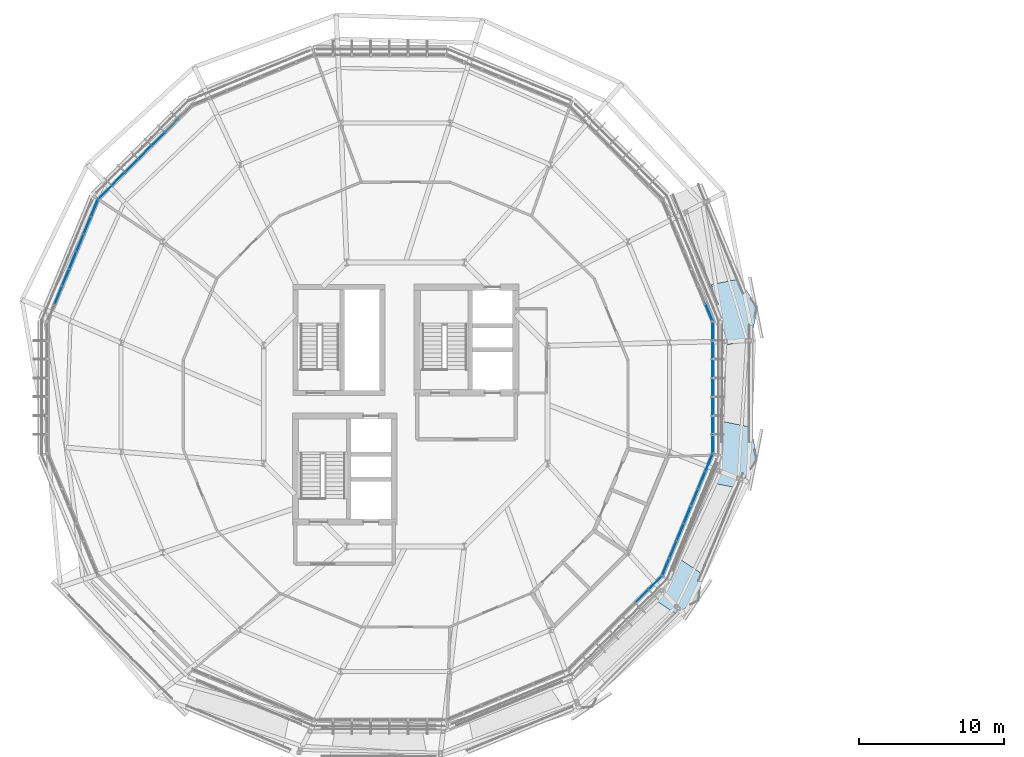
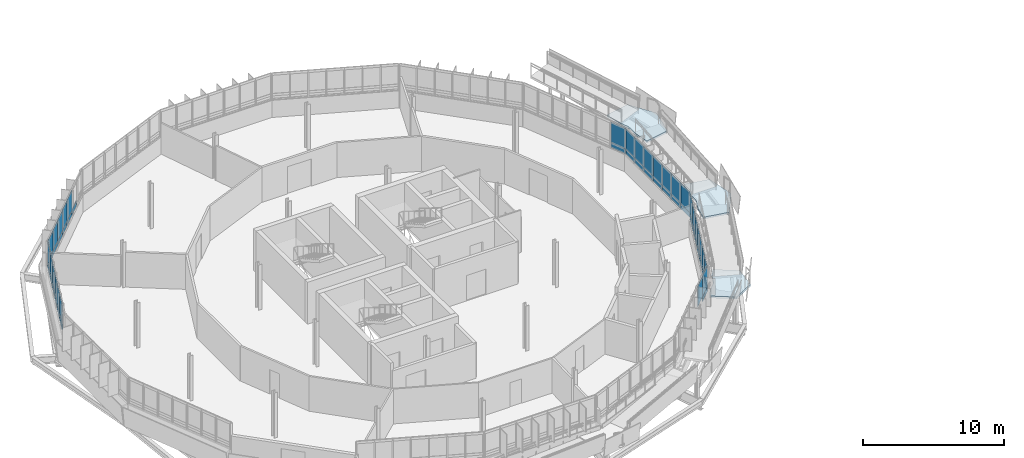
# One storey, part 26 of 38: 56 plates, 3 slabs, 7 elements without a shape of their own.
"""IFC4 building model written with IfcOpenShell, lengths in metres."""

from ifc_helpers import new_model, si_unit, derived_unit, direction, frame, origin, origin_2d, place, context, subcontext, project, spatial, polyline, rectangle, outline, extrude, material, layer, layer_set, type_object, element, aggregate, save


model = new_model("IFC4")

# Units and contexts
model_context = context("Model", 3, precision=1e-05, world=origin(), true_north=direction((0.0, 1.0)))
body_context = subcontext(model_context, "Body", "Model", "MODEL_VIEW")
ifc_project = project(units=[si_unit("LENGTHUNIT", "METRE"), si_unit("AREAUNIT", "SQUARE_METRE"), si_unit("VOLUMEUNIT", "CUBIC_METRE"), si_unit("PLANEANGLEUNIT", "RADIAN"), si_unit("MASSUNIT", "GRAM", prefix="KILO"), derived_unit("THERMALTRANSMITTANCEUNIT", [(si_unit("MASSUNIT", "GRAM", prefix="KILO"), 1), (si_unit("TIMEUNIT", "SECOND"), -3), (si_unit("THERMODYNAMICTEMPERATUREUNIT", "KELVIN"), -1)])], contexts=[model_context])

# Site, building, storey
site_placement = place(None, origin())
site = spatial("IfcSite", under=ifc_project, at=site_placement, CompositionType="ELEMENT")
building_placement = place(site_placement, origin())
building = spatial("IfcBuilding", under=site, at=building_placement, Name="Makaiwela Harbour Ferry Terminal", CompositionType="ELEMENT")
storey_placement = place(building_placement, frame((0.0, 0.0, 17.699951171875)))
storey = spatial("IfcBuildingStorey", under=building, at=storey_placement, Name="L04", CompositionType="ELEMENT", Elevation=17.699951171875)

# Curtain wall, plate
ifc_material_1 = material(Name="Marine anodised aluminium 6063-T6", Category="aluminium")
ifc_layer_1 = layer(ifc_material_1, 0.199951171875)
ifc_layer_set_1 = layer_set([ifc_layer_1], Name="Marine anodised aluminium 6063-T6")
curtain_wall_type = type_object("IfcCurtainWallType", Name="ENV-CW-06", PredefinedType="USERDEFINED", material=ifc_layer_set_1)
curtain_wall_1_placement = place(storey_placement, origin())
curtain_wall_1 = element("IfcCurtainWall", 1, at=curtain_wall_1_placement, inside=storey, type_object=curtain_wall_type, Name="Unitised Curtain Wall CWA-043", ObjectType="UNITIZED CURTAIN WALL", PredefinedType="USERDEFINED")
ifc_material_2 = material(Name="Laminated hurricane-impact low-E insulated glazing", Category="glass")
ifc_layer_2 = layer(ifc_material_2, 0.031982421875)
ifc_layer_set_2 = layer_set([ifc_layer_2], Name="Laminated hurricane-impact low-E insulated glazing")
plate_type_1 = type_object("IfcPlateType", Name="CW-PNL-G09", PredefinedType="CURTAIN_PANEL", material=ifc_layer_set_2)
plate_1_placement = place(storey_placement, frame((58.740966796875, 73.96142578125, 1.89990234375), z_axis=(0.0, 0.0, 1.0), x_axis=(-0.382683432365, 0.923879532511, 0.0)))
plate_1 = element("IfcPlate", 2, at=plate_1_placement, type_object=plate_type_1, Name="Glazed Vision Panel CWA-043-1G", PredefinedType="CURTAIN_PANEL", context=body_context, shape_type="SweptSolid", body=[
    extrude(rectangle(XDim=1.295654296875, YDim=0.031982421875, at=origin_2d()), origin(), (0.0, 0.0, 1.0), 1.780029296875),
])

# Curtain wall, plates
curtain_wall_2_placement = place(storey_placement, origin())
curtain_wall_2 = element("IfcCurtainWall", 3, at=curtain_wall_2_placement, inside=storey, type_object=curtain_wall_type, Name="Unitised Curtain Wall CWA-048", ObjectType="UNITIZED CURTAIN WALL", PredefinedType="USERDEFINED")
plate_2_placement = place(storey_placement, frame((20.73779296875, 85.91455078125, 1.89990234375), z_axis=(0.0, 0.0, 1.0), x_axis=(-0.707106781187, -0.707106781187, 0.0)))
plate_2 = element("IfcPlate", 4, at=plate_2_placement, type_object=plate_type_1, Name="Glazed Vision Panel CWA-048-3G", PredefinedType="CURTAIN_PANEL", context=body_context, shape_type="SweptSolid", body=[
    extrude(rectangle(XDim=1.2958984375, YDim=0.031982421875, at=origin_2d()), origin(), (0.0, 0.0, 1.0), 1.780029296875),
])
plate_3_placement = place(storey_placement, frame((19.821533203125, 84.998291015625, 1.89990234375), z_axis=(0.0, 0.0, 1.0), x_axis=(-0.707106781187, -0.707106781187, 0.0)))
plate_3 = element("IfcPlate", 5, at=plate_3_placement, type_object=plate_type_1, Name="Glazed Vision Panel CWA-048-4G", PredefinedType="CURTAIN_PANEL", context=body_context, shape_type="SweptSolid", body=[
    extrude(rectangle(XDim=1.2958984375, YDim=0.031982421875, at=origin_2d()), origin(), (0.0, 0.0, 1.0), 1.780029296875),
])
plate_4_placement = place(storey_placement, frame((18.905517578125, 84.08203125, 1.89990234375), z_axis=(0.0, 0.0, 1.0), x_axis=(-0.707106781187, -0.707106781187, 0.0)))
plate_4 = element("IfcPlate", 6, at=plate_4_placement, type_object=plate_type_1, Name="Glazed Vision Panel CWA-048-5G", PredefinedType="CURTAIN_PANEL", context=body_context, shape_type="SweptSolid", body=[
    extrude(rectangle(XDim=1.2958984375, YDim=0.031982421875, at=origin_2d()), origin(), (0.0, 0.0, 1.0), 1.780029296875),
])
plate_5_placement = place(storey_placement, frame((17.9892578125, 83.166015625, 1.89990234375), z_axis=(0.0, 0.0, 1.0), x_axis=(-0.707106781187, -0.707106781187, 0.0)))
plate_5 = element("IfcPlate", 7, at=plate_5_placement, type_object=plate_type_1, Name="Glazed Vision Panel CWA-048-6G", PredefinedType="CURTAIN_PANEL", context=body_context, shape_type="SweptSolid", body=[
    extrude(rectangle(XDim=1.2958984375, YDim=0.031982421875, at=origin_2d()), origin(), (0.0, 0.0, 1.0), 1.780029296875),
])
plate_6_placement = place(storey_placement, frame((17.072998046875, 82.24951171875, 1.89990234375), z_axis=(0.0, 0.0, 1.0), x_axis=(-0.707106781187, -0.707106781187, 0.0)))
plate_6 = element("IfcPlate", 8, at=plate_6_placement, type_object=plate_type_1, Name="Glazed Vision Panel CWA-048-7G", PredefinedType="CURTAIN_PANEL", context=body_context, shape_type="SweptSolid", body=[
    extrude(rectangle(XDim=1.2958984375, YDim=0.031982421875, at=origin_2d()), origin(), (0.0, 0.0, 1.0), 1.780029296875),
])

curtain_wall_3_placement = place(storey_placement, origin())
curtain_wall_3 = element("IfcCurtainWall", 9, at=curtain_wall_3_placement, inside=storey, type_object=curtain_wall_type, Name="Unitised Curtain Wall CWA-049", ObjectType="UNITIZED CURTAIN WALL", PredefinedType="USERDEFINED")
plate_7_placement = place(storey_placement, frame((16.334228515625, 81.14404296875, 1.89990234375), z_axis=(0.0, 0.0, 1.0), x_axis=(-0.382683432365, -0.923879532511, 0.0)))
plate_7 = element("IfcPlate", 10, at=plate_7_placement, type_object=plate_type_1, Name="Glazed Vision Panel CWA-049-1G", PredefinedType="CURTAIN_PANEL", context=body_context, shape_type="SweptSolid", body=[
    extrude(rectangle(XDim=1.295654296875, YDim=0.031982421875, at=origin_2d()), origin(), (0.0, 0.0, 1.0), 1.780029296875),
])
plate_8_placement = place(storey_placement, frame((15.83837890625, 79.947021484375, 1.89990234375), z_axis=(0.0, 0.0, 1.0), x_axis=(-0.382683432365, -0.923879532511, 0.0)))
plate_8 = element("IfcPlate", 11, at=plate_8_placement, type_object=plate_type_1, Name="Glazed Vision Panel CWA-049-2G", PredefinedType="CURTAIN_PANEL", context=body_context, shape_type="SweptSolid", body=[
    extrude(rectangle(XDim=1.295654296875, YDim=0.031982421875, at=origin_2d()), origin(), (0.0, 0.0, 1.0), 1.780029296875),
])
plate_9_placement = place(storey_placement, frame((15.342529296875, 78.749755859375, 1.89990234375), z_axis=(0.0, 0.0, 1.0), x_axis=(-0.382683432365, -0.923879532511, 0.0)))
plate_9 = element("IfcPlate", 12, at=plate_9_placement, type_object=plate_type_1, Name="Glazed Vision Panel CWA-049-3G", PredefinedType="CURTAIN_PANEL", context=body_context, shape_type="SweptSolid", body=[
    extrude(rectangle(XDim=1.295654296875, YDim=0.031982421875, at=origin_2d()), origin(), (0.0, 0.0, 1.0), 1.780029296875),
])
plate_10_placement = place(storey_placement, frame((14.8466796875, 77.552734375, 1.89990234375), z_axis=(0.0, 0.0, 1.0), x_axis=(-0.382683432365, -0.923879532511, 0.0)))
plate_10 = element("IfcPlate", 13, at=plate_10_placement, type_object=plate_type_1, Name="Glazed Vision Panel CWA-049-4G", PredefinedType="CURTAIN_PANEL", context=body_context, shape_type="SweptSolid", body=[
    extrude(rectangle(XDim=1.295654296875, YDim=0.031982421875, at=origin_2d()), origin(), (0.0, 0.0, 1.0), 1.780029296875),
])
plate_11_placement = place(storey_placement, frame((14.3505859375, 76.355712890625, 1.89990234375), z_axis=(0.0, 0.0, 1.0), x_axis=(-0.382683432365, -0.923879532511, 0.0)))
plate_11 = element("IfcPlate", 14, at=plate_11_placement, type_object=plate_type_1, Name="Glazed Vision Panel CWA-049-5G", PredefinedType="CURTAIN_PANEL", context=body_context, shape_type="SweptSolid", body=[
    extrude(rectangle(XDim=1.295654296875, YDim=0.031982421875, at=origin_2d()), origin(), (0.0, 0.0, 1.0), 1.780029296875),
])
plate_12_placement = place(storey_placement, frame((13.85498046875, 75.158447265625, 1.89990234375), z_axis=(0.0, 0.0, 1.0), x_axis=(-0.382683432365, -0.923879532511, 0.0)))
plate_12 = element("IfcPlate", 15, at=plate_12_placement, type_object=plate_type_1, Name="Glazed Vision Panel CWA-049-6G", PredefinedType="CURTAIN_PANEL", context=body_context, shape_type="SweptSolid", body=[
    extrude(rectangle(XDim=1.295654296875, YDim=0.031982421875, at=origin_2d()), origin(), (0.0, 0.0, 1.0), 1.780029296875),
])

curtain_wall_4_placement = place(storey_placement, origin())
curtain_wall_4 = element("IfcCurtainWall", 16, at=curtain_wall_4_placement, inside=storey, type_object=curtain_wall_type, Name="Unitised Curtain Wall CWA-055", ObjectType="UNITIZED CURTAIN WALL", PredefinedType="USERDEFINED")
plate_13_placement = place(storey_placement, frame((54.11083984375, 54.3740234375, 1.89990234375), z_axis=(0.0, 0.0, 1.0), x_axis=(0.707106781187, 0.707106781187, 0.0)))
plate_13 = element("IfcPlate", 17, at=plate_13_placement, type_object=plate_type_1, Name="Glazed Vision Panel CWA-055-6G", PredefinedType="CURTAIN_PANEL", context=body_context, shape_type="SweptSolid", body=[
    extrude(rectangle(XDim=1.2958984375, YDim=0.031982421875, at=origin_2d()), origin(), (0.0, 0.0, 1.0), 1.780029296875),
])
plate_14_placement = place(storey_placement, frame((55.027099609375, 55.290283203125, 1.89990234375), z_axis=(0.0, 0.0, 1.0), x_axis=(0.707106781187, 0.707106781187, 0.0)))
plate_14 = element("IfcPlate", 18, at=plate_14_placement, type_object=plate_type_1, Name="Glazed Vision Panel CWA-055-7G", PredefinedType="CURTAIN_PANEL", context=body_context, shape_type="SweptSolid", body=[
    extrude(rectangle(XDim=1.2958984375, YDim=0.031982421875, at=origin_2d()), origin(), (0.0, 0.0, 1.0), 1.780029296875),
])

curtain_wall_5_placement = place(storey_placement, origin())
curtain_wall_5 = element("IfcCurtainWall", 19, at=curtain_wall_5_placement, inside=storey, type_object=curtain_wall_type, Name="Unitised Curtain Wall CWA-056", ObjectType="UNITIZED CURTAIN WALL", PredefinedType="USERDEFINED")
plate_15_placement = place(storey_placement, frame((55.765869140625, 56.39599609375, 1.89990234375), z_axis=(0.0, 0.0, 1.0), x_axis=(0.382683432365, 0.923879532511, 0.0)))
plate_15 = element("IfcPlate", 20, at=plate_15_placement, type_object=plate_type_1, Name="Glazed Vision Panel CWA-056-1G", PredefinedType="CURTAIN_PANEL", context=body_context, shape_type="SweptSolid", body=[
    extrude(rectangle(XDim=1.295654296875, YDim=0.031982421875, at=origin_2d()), origin(), (0.0, 0.0, 1.0), 1.780029296875),
])
plate_16_placement = place(storey_placement, frame((56.26171875, 57.593017578125, 1.89990234375), z_axis=(0.0, 0.0, 1.0), x_axis=(0.382683432365, 0.923879532511, 0.0)))
plate_16 = element("IfcPlate", 21, at=plate_16_placement, type_object=plate_type_1, Name="Glazed Vision Panel CWA-056-2G", PredefinedType="CURTAIN_PANEL", context=body_context, shape_type="SweptSolid", body=[
    extrude(rectangle(XDim=1.295654296875, YDim=0.031982421875, at=origin_2d()), origin(), (0.0, 0.0, 1.0), 1.780029296875),
])
plate_17_placement = place(storey_placement, frame((56.757568359375, 58.790283203125, 1.89990234375), z_axis=(0.0, 0.0, 1.0), x_axis=(0.382683432365, 0.923879532511, 0.0)))
plate_17 = element("IfcPlate", 22, at=plate_17_placement, type_object=plate_type_1, Name="Glazed Vision Panel CWA-056-3G", PredefinedType="CURTAIN_PANEL", context=body_context, shape_type="SweptSolid", body=[
    extrude(rectangle(XDim=1.295654296875, YDim=0.031982421875, at=origin_2d()), origin(), (0.0, 0.0, 1.0), 1.780029296875),
])
plate_18_placement = place(storey_placement, frame((57.25341796875, 59.9873046875, 1.89990234375), z_axis=(0.0, 0.0, 1.0), x_axis=(0.382683432365, 0.923879532511, 0.0)))
plate_18 = element("IfcPlate", 23, at=plate_18_placement, type_object=plate_type_1, Name="Glazed Vision Panel CWA-056-4G", PredefinedType="CURTAIN_PANEL", context=body_context, shape_type="SweptSolid", body=[
    extrude(rectangle(XDim=1.295654296875, YDim=0.031982421875, at=origin_2d()), origin(), (0.0, 0.0, 1.0), 1.780029296875),
])
plate_19_placement = place(storey_placement, frame((57.749267578125, 61.184326171875, 1.89990234375), z_axis=(0.0, 0.0, 1.0), x_axis=(0.382683432365, 0.923879532511, 0.0)))
plate_19 = element("IfcPlate", 24, at=plate_19_placement, type_object=plate_type_1, Name="Glazed Vision Panel CWA-056-5G", PredefinedType="CURTAIN_PANEL", context=body_context, shape_type="SweptSolid", body=[
    extrude(rectangle(XDim=1.295654296875, YDim=0.031982421875, at=origin_2d()), origin(), (0.0, 0.0, 1.0), 1.780029296875),
])
plate_20_placement = place(storey_placement, frame((58.2451171875, 62.381591796875, 1.89990234375), z_axis=(0.0, 0.0, 1.0), x_axis=(0.382683432365, 0.923879532511, 0.0)))
plate_20 = element("IfcPlate", 25, at=plate_20_placement, type_object=plate_type_1, Name="Glazed Vision Panel CWA-056-6G", PredefinedType="CURTAIN_PANEL", context=body_context, shape_type="SweptSolid", body=[
    extrude(rectangle(XDim=1.295654296875, YDim=0.031982421875, at=origin_2d()), origin(), (0.0, 0.0, 1.0), 1.780029296875),
])
plate_21_placement = place(storey_placement, frame((58.740966796875, 63.57861328125, 1.89990234375), z_axis=(0.0, 0.0, 1.0), x_axis=(0.382683432365, 0.923879532511, 0.0)))
plate_21 = element("IfcPlate", 26, at=plate_21_placement, type_object=plate_type_1, Name="Glazed Vision Panel CWA-056-7G", PredefinedType="CURTAIN_PANEL", context=body_context, shape_type="SweptSolid", body=[
    extrude(rectangle(XDim=1.295654296875, YDim=0.031982421875, at=origin_2d()), origin(), (0.0, 0.0, 1.0), 1.780029296875),
])

curtain_wall_6_placement = place(storey_placement, origin())
curtain_wall_6 = element("IfcCurtainWall", 27, at=curtain_wall_6_placement, inside=storey, type_object=curtain_wall_type, Name="Unitised Curtain Wall CWA-057", ObjectType="UNITIZED CURTAIN WALL", PredefinedType="USERDEFINED")
plate_22_placement = place(storey_placement, frame((59.00048828125, 64.8828125, 1.89990234375), z_axis=(0.0, 0.0, 1.0), x_axis=(0.0, 1.0, 0.0)))
plate_22 = element("IfcPlate", 28, at=plate_22_placement, type_object=plate_type_1, Name="Glazed Vision Panel CWA-057-1G", PredefinedType="CURTAIN_PANEL", context=body_context, shape_type="SweptSolid", body=[
    extrude(rectangle(XDim=1.295654296875, YDim=0.031982421875, at=origin_2d()), origin(), (0.0, 0.0, 1.0), 1.780029296875),
])
plate_23_placement = place(storey_placement, frame((59.00048828125, 66.178466796875, 1.89990234375), z_axis=(0.0, 0.0, 1.0), x_axis=(0.0, 1.0, 0.0)))
plate_23 = element("IfcPlate", 29, at=plate_23_placement, type_object=plate_type_1, Name="Glazed Vision Panel CWA-057-2G", PredefinedType="CURTAIN_PANEL", context=body_context, shape_type="SweptSolid", body=[
    extrude(rectangle(XDim=1.295654296875, YDim=0.031982421875, at=origin_2d()), origin(), (0.0, 0.0, 1.0), 1.780029296875),
])
plate_24_placement = place(storey_placement, frame((59.00048828125, 67.474365234375, 1.89990234375), z_axis=(0.0, 0.0, 1.0), x_axis=(0.0, 1.0, 0.0)))
plate_24 = element("IfcPlate", 30, at=plate_24_placement, type_object=plate_type_1, Name="Glazed Vision Panel CWA-057-3G", PredefinedType="CURTAIN_PANEL", context=body_context, shape_type="SweptSolid", body=[
    extrude(rectangle(XDim=1.295654296875, YDim=0.031982421875, at=origin_2d()), origin(), (0.0, 0.0, 1.0), 1.780029296875),
])
plate_25_placement = place(storey_placement, frame((59.00048828125, 68.77001953125, 1.89990234375), z_axis=(0.0, 0.0, 1.0), x_axis=(0.0, 1.0, 0.0)))
plate_25 = element("IfcPlate", 31, at=plate_25_placement, type_object=plate_type_1, Name="Glazed Vision Panel CWA-057-4G", PredefinedType="CURTAIN_PANEL", context=body_context, shape_type="SweptSolid", body=[
    extrude(rectangle(XDim=1.295654296875, YDim=0.031982421875, at=origin_2d()), origin(), (0.0, 0.0, 1.0), 1.780029296875),
])
plate_26_placement = place(storey_placement, frame((59.00048828125, 70.065673828125, 1.89990234375), z_axis=(0.0, 0.0, 1.0), x_axis=(0.0, 1.0, 0.0)))
plate_26 = element("IfcPlate", 32, at=plate_26_placement, type_object=plate_type_1, Name="Glazed Vision Panel CWA-057-5G", PredefinedType="CURTAIN_PANEL", context=body_context, shape_type="SweptSolid", body=[
    extrude(rectangle(XDim=1.295654296875, YDim=0.031982421875, at=origin_2d()), origin(), (0.0, 0.0, 1.0), 1.780029296875),
])
plate_27_placement = place(storey_placement, frame((59.00048828125, 71.361572265625, 1.89990234375), z_axis=(0.0, 0.0, 1.0), x_axis=(0.0, 1.0, 0.0)))
plate_27 = element("IfcPlate", 33, at=plate_27_placement, type_object=plate_type_1, Name="Glazed Vision Panel CWA-057-6G", PredefinedType="CURTAIN_PANEL", context=body_context, shape_type="SweptSolid", body=[
    extrude(rectangle(XDim=1.295654296875, YDim=0.031982421875, at=origin_2d()), origin(), (0.0, 0.0, 1.0), 1.780029296875),
])
plate_28_placement = place(storey_placement, frame((59.00048828125, 72.6572265625, 1.89990234375), z_axis=(0.0, 0.0, 1.0), x_axis=(0.0, 1.0, 0.0)))
plate_28 = element("IfcPlate", 34, at=plate_28_placement, type_object=plate_type_1, Name="Glazed Vision Panel CWA-057-7G", PredefinedType="CURTAIN_PANEL", context=body_context, shape_type="SweptSolid", body=[
    extrude(rectangle(XDim=1.295654296875, YDim=0.031982421875, at=origin_2d()), origin(), (0.0, 0.0, 1.0), 1.780029296875),
])

# Plate
ifc_material_3 = material(Name="Insulated marine aluminium spandrel panel", Category="aluminium")
ifc_layer_3 = layer(ifc_material_3, 0.048095703125)
ifc_layer_set_3 = layer_set([ifc_layer_3], Name="Insulated marine aluminium spandrel panel")
plate_type_2 = type_object("IfcPlateType", Name="CW-PNL-S01", PredefinedType="CURTAIN_PANEL", material=ifc_layer_set_3)
plate_29_placement = place(storey_placement, frame((58.740966796875, 73.96142578125, 1.47998046875), z_axis=(0.0, 0.0, 1.0), x_axis=(-0.382683432365, 0.923879532511, 0.0)))
plate_29 = element("IfcPlate", 35, at=plate_29_placement, type_object=plate_type_2, Name="Spandrel Panel CWA-043-1S", PredefinedType="CURTAIN_PANEL", context=body_context, shape_type="SweptSolid", body=[
    extrude(rectangle(XDim=1.295654296875, YDim=0.048095703125, at=origin_2d()), origin(), (0.0, 0.0, 1.0), 0.419921875),
])

aggregate(curtain_wall_1, [plate_29, plate_1])

plate_30_placement = place(storey_placement, frame((21.654052734375, 86.830810546875, 1.47998046875), z_axis=(0.0, 0.0, 1.0), x_axis=(-0.707106781187, -0.707106781187, 0.0)))
plate_30 = element("IfcPlate", 36, at=plate_30_placement, type_object=plate_type_2, Name="Spandrel Panel CWA-048-2S", PredefinedType="CURTAIN_PANEL", context=body_context, shape_type="SweptSolid", body=[
    extrude(rectangle(XDim=1.2958984375, YDim=0.048095703125, at=origin_2d()), origin(), (0.0, 0.0, 1.0), 0.419921875),
])

plate_31_placement = place(storey_placement, frame((20.73779296875, 85.91455078125, 1.47998046875), z_axis=(0.0, 0.0, 1.0), x_axis=(-0.707106781187, -0.707106781187, 0.0)))
plate_31 = element("IfcPlate", 37, at=plate_31_placement, type_object=plate_type_2, Name="Spandrel Panel CWA-048-3S", PredefinedType="CURTAIN_PANEL", context=body_context, shape_type="SweptSolid", body=[
    extrude(rectangle(XDim=1.2958984375, YDim=0.048095703125, at=origin_2d()), origin(), (0.0, 0.0, 1.0), 0.419921875),
])

plate_32_placement = place(storey_placement, frame((19.821533203125, 84.998291015625, 1.47998046875), z_axis=(0.0, 0.0, 1.0), x_axis=(-0.707106781187, -0.707106781187, 0.0)))
plate_32 = element("IfcPlate", 38, at=plate_32_placement, type_object=plate_type_2, Name="Spandrel Panel CWA-048-4S", PredefinedType="CURTAIN_PANEL", context=body_context, shape_type="SweptSolid", body=[
    extrude(rectangle(XDim=1.2958984375, YDim=0.048095703125, at=origin_2d()), origin(), (0.0, 0.0, 1.0), 0.419921875),
])

plate_33_placement = place(storey_placement, frame((18.905517578125, 84.08203125, 1.47998046875), z_axis=(0.0, 0.0, 1.0), x_axis=(-0.707106781187, -0.707106781187, 0.0)))
plate_33 = element("IfcPlate", 39, at=plate_33_placement, type_object=plate_type_2, Name="Spandrel Panel CWA-048-5S", PredefinedType="CURTAIN_PANEL", context=body_context, shape_type="SweptSolid", body=[
    extrude(rectangle(XDim=1.2958984375, YDim=0.048095703125, at=origin_2d()), origin(), (0.0, 0.0, 1.0), 0.419921875),
])

plate_34_placement = place(storey_placement, frame((17.9892578125, 83.166015625, 1.47998046875), z_axis=(0.0, 0.0, 1.0), x_axis=(-0.707106781187, -0.707106781187, 0.0)))
plate_34 = element("IfcPlate", 40, at=plate_34_placement, type_object=plate_type_2, Name="Spandrel Panel CWA-048-6S", PredefinedType="CURTAIN_PANEL", context=body_context, shape_type="SweptSolid", body=[
    extrude(rectangle(XDim=1.2958984375, YDim=0.048095703125, at=origin_2d()), origin(), (0.0, 0.0, 1.0), 0.419921875),
])

plate_35_placement = place(storey_placement, frame((17.072998046875, 82.24951171875, 1.47998046875), z_axis=(0.0, 0.0, 1.0), x_axis=(-0.707106781187, -0.707106781187, 0.0)))
plate_35 = element("IfcPlate", 41, at=plate_35_placement, type_object=plate_type_2, Name="Spandrel Panel CWA-048-7S", PredefinedType="CURTAIN_PANEL", context=body_context, shape_type="SweptSolid", body=[
    extrude(rectangle(XDim=1.2958984375, YDim=0.048095703125, at=origin_2d()), origin(), (0.0, 0.0, 1.0), 0.419921875),
])

aggregate(curtain_wall_2, [plate_30, plate_31, plate_2, plate_32, plate_3, plate_33, plate_4, plate_34, plate_5, plate_35, plate_6])

plate_36_placement = place(storey_placement, frame((16.334228515625, 81.14404296875, 1.47998046875), z_axis=(0.0, 0.0, 1.0), x_axis=(-0.382683432365, -0.923879532511, 0.0)))
plate_36 = element("IfcPlate", 42, at=plate_36_placement, type_object=plate_type_2, Name="Spandrel Panel CWA-049-1S", PredefinedType="CURTAIN_PANEL", context=body_context, shape_type="SweptSolid", body=[
    extrude(rectangle(XDim=1.295654296875, YDim=0.048095703125, at=origin_2d()), origin(), (0.0, 0.0, 1.0), 0.419921875),
])

plate_37_placement = place(storey_placement, frame((15.83837890625, 79.947021484375, 1.47998046875), z_axis=(0.0, 0.0, 1.0), x_axis=(-0.382683432365, -0.923879532511, 0.0)))
plate_37 = element("IfcPlate", 43, at=plate_37_placement, type_object=plate_type_2, Name="Spandrel Panel CWA-049-2S", PredefinedType="CURTAIN_PANEL", context=body_context, shape_type="SweptSolid", body=[
    extrude(rectangle(XDim=1.295654296875, YDim=0.048095703125, at=origin_2d()), origin(), (0.0, 0.0, 1.0), 0.419921875),
])

plate_38_placement = place(storey_placement, frame((15.342529296875, 78.749755859375, 1.47998046875), z_axis=(0.0, 0.0, 1.0), x_axis=(-0.382683432365, -0.923879532511, 0.0)))
plate_38 = element("IfcPlate", 44, at=plate_38_placement, type_object=plate_type_2, Name="Spandrel Panel CWA-049-3S", PredefinedType="CURTAIN_PANEL", context=body_context, shape_type="SweptSolid", body=[
    extrude(rectangle(XDim=1.295654296875, YDim=0.048095703125, at=origin_2d()), origin(), (0.0, 0.0, 1.0), 0.419921875),
])

plate_39_placement = place(storey_placement, frame((14.8466796875, 77.552734375, 1.47998046875), z_axis=(0.0, 0.0, 1.0), x_axis=(-0.382683432365, -0.923879532511, 0.0)))
plate_39 = element("IfcPlate", 45, at=plate_39_placement, type_object=plate_type_2, Name="Spandrel Panel CWA-049-4S", PredefinedType="CURTAIN_PANEL", context=body_context, shape_type="SweptSolid", body=[
    extrude(rectangle(XDim=1.295654296875, YDim=0.048095703125, at=origin_2d()), origin(), (0.0, 0.0, 1.0), 0.419921875),
])

plate_40_placement = place(storey_placement, frame((14.3505859375, 76.355712890625, 1.47998046875), z_axis=(0.0, 0.0, 1.0), x_axis=(-0.382683432365, -0.923879532511, 0.0)))
plate_40 = element("IfcPlate", 46, at=plate_40_placement, type_object=plate_type_2, Name="Spandrel Panel CWA-049-5S", PredefinedType="CURTAIN_PANEL", context=body_context, shape_type="SweptSolid", body=[
    extrude(rectangle(XDim=1.295654296875, YDim=0.048095703125, at=origin_2d()), origin(), (0.0, 0.0, 1.0), 0.419921875),
])

plate_41_placement = place(storey_placement, frame((13.85498046875, 75.158447265625, 1.47998046875), z_axis=(0.0, 0.0, 1.0), x_axis=(-0.382683432365, -0.923879532511, 0.0)))
plate_41 = element("IfcPlate", 47, at=plate_41_placement, type_object=plate_type_2, Name="Spandrel Panel CWA-049-6S", PredefinedType="CURTAIN_PANEL", context=body_context, shape_type="SweptSolid", body=[
    extrude(rectangle(XDim=1.295654296875, YDim=0.048095703125, at=origin_2d()), origin(), (0.0, 0.0, 1.0), 0.419921875),
])

aggregate(curtain_wall_3, [plate_36, plate_7, plate_37, plate_8, plate_38, plate_9, plate_39, plate_10, plate_40, plate_11, plate_41, plate_12])

plate_42_placement = place(storey_placement, frame((55.027099609375, 55.290283203125, 1.47998046875), z_axis=(0.0, 0.0, 1.0), x_axis=(0.707106781187, 0.707106781187, 0.0)))
plate_42 = element("IfcPlate", 48, at=plate_42_placement, type_object=plate_type_2, Name="Spandrel Panel CWA-055-7S", PredefinedType="CURTAIN_PANEL", context=body_context, shape_type="SweptSolid", body=[
    extrude(rectangle(XDim=1.2958984375, YDim=0.048095703125, at=origin_2d()), origin(), (0.0, 0.0, 1.0), 0.419921875),
])

aggregate(curtain_wall_4, [plate_13, plate_42, plate_14])

plate_43_placement = place(storey_placement, frame((55.765869140625, 56.39599609375, 1.47998046875), z_axis=(0.0, 0.0, 1.0), x_axis=(0.382683432365, 0.923879532511, 0.0)))
plate_43 = element("IfcPlate", 49, at=plate_43_placement, type_object=plate_type_2, Name="Spandrel Panel CWA-056-1S", PredefinedType="CURTAIN_PANEL", context=body_context, shape_type="SweptSolid", body=[
    extrude(rectangle(XDim=1.295654296875, YDim=0.048095703125, at=origin_2d()), origin(), (0.0, 0.0, 1.0), 0.419921875),
])

plate_44_placement = place(storey_placement, frame((56.26171875, 57.593017578125, 1.47998046875), z_axis=(0.0, 0.0, 1.0), x_axis=(0.382683432365, 0.923879532511, 0.0)))
plate_44 = element("IfcPlate", 50, at=plate_44_placement, type_object=plate_type_2, Name="Spandrel Panel CWA-056-2S", PredefinedType="CURTAIN_PANEL", context=body_context, shape_type="SweptSolid", body=[
    extrude(rectangle(XDim=1.295654296875, YDim=0.048095703125, at=origin_2d()), origin(), (0.0, 0.0, 1.0), 0.419921875),
])

plate_45_placement = place(storey_placement, frame((56.757568359375, 58.790283203125, 1.47998046875), z_axis=(0.0, 0.0, 1.0), x_axis=(0.382683432365, 0.923879532511, 0.0)))
plate_45 = element("IfcPlate", 51, at=plate_45_placement, type_object=plate_type_2, Name="Spandrel Panel CWA-056-3S", PredefinedType="CURTAIN_PANEL", context=body_context, shape_type="SweptSolid", body=[
    extrude(rectangle(XDim=1.295654296875, YDim=0.048095703125, at=origin_2d()), origin(), (0.0, 0.0, 1.0), 0.419921875),
])

plate_46_placement = place(storey_placement, frame((57.25341796875, 59.9873046875, 1.47998046875), z_axis=(0.0, 0.0, 1.0), x_axis=(0.382683432365, 0.923879532511, 0.0)))
plate_46 = element("IfcPlate", 52, at=plate_46_placement, type_object=plate_type_2, Name="Spandrel Panel CWA-056-4S", PredefinedType="CURTAIN_PANEL", context=body_context, shape_type="SweptSolid", body=[
    extrude(rectangle(XDim=1.295654296875, YDim=0.048095703125, at=origin_2d()), origin(), (0.0, 0.0, 1.0), 0.419921875),
])

plate_47_placement = place(storey_placement, frame((57.749267578125, 61.184326171875, 1.47998046875), z_axis=(0.0, 0.0, 1.0), x_axis=(0.382683432365, 0.923879532511, 0.0)))
plate_47 = element("IfcPlate", 53, at=plate_47_placement, type_object=plate_type_2, Name="Spandrel Panel CWA-056-5S", PredefinedType="CURTAIN_PANEL", context=body_context, shape_type="SweptSolid", body=[
    extrude(rectangle(XDim=1.295654296875, YDim=0.048095703125, at=origin_2d()), origin(), (0.0, 0.0, 1.0), 0.419921875),
])

plate_48_placement = place(storey_placement, frame((58.2451171875, 62.381591796875, 1.47998046875), z_axis=(0.0, 0.0, 1.0), x_axis=(0.382683432365, 0.923879532511, 0.0)))
plate_48 = element("IfcPlate", 54, at=plate_48_placement, type_object=plate_type_2, Name="Spandrel Panel CWA-056-6S", PredefinedType="CURTAIN_PANEL", context=body_context, shape_type="SweptSolid", body=[
    extrude(rectangle(XDim=1.295654296875, YDim=0.048095703125, at=origin_2d()), origin(), (0.0, 0.0, 1.0), 0.419921875),
])

plate_49_placement = place(storey_placement, frame((58.740966796875, 63.57861328125, 1.47998046875), z_axis=(0.0, 0.0, 1.0), x_axis=(0.382683432365, 0.923879532511, 0.0)))
plate_49 = element("IfcPlate", 55, at=plate_49_placement, type_object=plate_type_2, Name="Spandrel Panel CWA-056-7S", PredefinedType="CURTAIN_PANEL", context=body_context, shape_type="SweptSolid", body=[
    extrude(rectangle(XDim=1.295654296875, YDim=0.048095703125, at=origin_2d()), origin(), (0.0, 0.0, 1.0), 0.419921875),
])

aggregate(curtain_wall_5, [plate_43, plate_15, plate_44, plate_16, plate_45, plate_17, plate_46, plate_18, plate_47, plate_19, plate_48, plate_20, plate_49, plate_21])

plate_50_placement = place(storey_placement, frame((59.00048828125, 64.8828125, 1.47998046875), z_axis=(0.0, 0.0, 1.0), x_axis=(0.0, 1.0, 0.0)))
plate_50 = element("IfcPlate", 56, at=plate_50_placement, type_object=plate_type_2, Name="Spandrel Panel CWA-057-1S", PredefinedType="CURTAIN_PANEL", context=body_context, shape_type="SweptSolid", body=[
    extrude(rectangle(XDim=1.295654296875, YDim=0.048095703125, at=origin_2d()), origin(), (0.0, 0.0, 1.0), 0.419921875),
])

plate_51_placement = place(storey_placement, frame((59.00048828125, 66.178466796875, 1.47998046875), z_axis=(0.0, 0.0, 1.0), x_axis=(0.0, 1.0, 0.0)))
plate_51 = element("IfcPlate", 57, at=plate_51_placement, type_object=plate_type_2, Name="Spandrel Panel CWA-057-2S", PredefinedType="CURTAIN_PANEL", context=body_context, shape_type="SweptSolid", body=[
    extrude(rectangle(XDim=1.295654296875, YDim=0.048095703125, at=origin_2d()), origin(), (0.0, 0.0, 1.0), 0.419921875),
])

plate_52_placement = place(storey_placement, frame((59.00048828125, 67.474365234375, 1.47998046875), z_axis=(0.0, 0.0, 1.0), x_axis=(0.0, 1.0, 0.0)))
plate_52 = element("IfcPlate", 58, at=plate_52_placement, type_object=plate_type_2, Name="Spandrel Panel CWA-057-3S", PredefinedType="CURTAIN_PANEL", context=body_context, shape_type="SweptSolid", body=[
    extrude(rectangle(XDim=1.295654296875, YDim=0.048095703125, at=origin_2d()), origin(), (0.0, 0.0, 1.0), 0.419921875),
])

plate_53_placement = place(storey_placement, frame((59.00048828125, 68.77001953125, 1.47998046875), z_axis=(0.0, 0.0, 1.0), x_axis=(0.0, 1.0, 0.0)))
plate_53 = element("IfcPlate", 59, at=plate_53_placement, type_object=plate_type_2, Name="Spandrel Panel CWA-057-4S", PredefinedType="CURTAIN_PANEL", context=body_context, shape_type="SweptSolid", body=[
    extrude(rectangle(XDim=1.295654296875, YDim=0.048095703125, at=origin_2d()), origin(), (0.0, 0.0, 1.0), 0.419921875),
])

plate_54_placement = place(storey_placement, frame((59.00048828125, 70.065673828125, 1.47998046875), z_axis=(0.0, 0.0, 1.0), x_axis=(0.0, 1.0, 0.0)))
plate_54 = element("IfcPlate", 60, at=plate_54_placement, type_object=plate_type_2, Name="Spandrel Panel CWA-057-5S", PredefinedType="CURTAIN_PANEL", context=body_context, shape_type="SweptSolid", body=[
    extrude(rectangle(XDim=1.295654296875, YDim=0.048095703125, at=origin_2d()), origin(), (0.0, 0.0, 1.0), 0.419921875),
])

plate_55_placement = place(storey_placement, frame((59.00048828125, 71.361572265625, 1.47998046875), z_axis=(0.0, 0.0, 1.0), x_axis=(0.0, 1.0, 0.0)))
plate_55 = element("IfcPlate", 61, at=plate_55_placement, type_object=plate_type_2, Name="Spandrel Panel CWA-057-6S", PredefinedType="CURTAIN_PANEL", context=body_context, shape_type="SweptSolid", body=[
    extrude(rectangle(XDim=1.295654296875, YDim=0.048095703125, at=origin_2d()), origin(), (0.0, 0.0, 1.0), 0.419921875),
])

plate_56_placement = place(storey_placement, frame((59.00048828125, 72.6572265625, 1.47998046875), z_axis=(0.0, 0.0, 1.0), x_axis=(0.0, 1.0, 0.0)))
plate_56 = element("IfcPlate", 62, at=plate_56_placement, type_object=plate_type_2, Name="Spandrel Panel CWA-057-7S", PredefinedType="CURTAIN_PANEL", context=body_context, shape_type="SweptSolid", body=[
    extrude(rectangle(XDim=1.295654296875, YDim=0.048095703125, at=origin_2d()), origin(), (0.0, 0.0, 1.0), 0.419921875),
])

aggregate(curtain_wall_6, [plate_50, plate_22, plate_51, plate_23, plate_52, plate_24, plate_53, plate_25, plate_54, plate_26, plate_55, plate_27, plate_56, plate_28])

# Ramp, slabs
ifc_material_4 = material(Name="Concrete f'c 35 MPa (5000 psi)", Category="concrete")
ramp_type = type_object("IfcRampType", Name="CIR-RMP-ASSY", PredefinedType="STRAIGHT_RUN_RAMP", material=ifc_material_4)
ramp_placement = place(storey_placement, origin())
ramp = element("IfcRamp", 63, at=ramp_placement, inside=storey, type_object=ramp_type, Name="External Coiled Promenade Ramp L04 to L05", PredefinedType="STRAIGHT_RUN_RAMP")
ifc_layer_4 = layer(ifc_material_4, 0.169921875)
ifc_layer_set_4 = layer_set([ifc_layer_4], Name="Concrete f'c 35 MPa (5000 psi)")
slab_type = type_object("IfcSlabType", Name="SLB-LND-170", PredefinedType="LANDING", material=ifc_layer_set_4)
slab_1_placement = place(storey_placement, frame((0.0, 0.0, 2.05859375)))
slab_1 = element("IfcSlab", 64, at=slab_1_placement, type_object=slab_type, Name="Promenade Ramp Landing RMP-COIL-L04-L4", PredefinedType="LANDING", context=body_context, shape_type="SweptSolid", body=[
    extrude(outline(polyline([(56.25830078125, 56.426025390625), (55.881591796875, 55.516845703125), (55.881591796875, 55.516845703125), (55.881591796875, 55.5166015625), (55.88134765625, 55.516357421875), (55.88134765625, 55.516357421875), (55.185302734375, 54.8203125), (54.80517578125, 54.25146484375), (56.418212890625, 53.173583984375), (58.058349609375, 54.06201171875), (58.251708984375, 55.91748046875), (56.638671875, 56.9951171875), (56.25830078125, 56.426025390625)])), origin(), (0.0, 0.0, 1.0), 0.170166015625),
])
slab_2_placement = place(storey_placement, frame((0.0, 0.0, 2.61572265625)))
slab_2 = element("IfcSlab", 65, at=slab_2_placement, type_object=slab_type, Name="Promenade Ramp Landing RMP-COIL-L04-L5", PredefinedType="LANDING", context=body_context, shape_type="SweptSolid", body=[
    extrude(outline(polyline([(59.5068359375, 65.253173828125), (59.5068359375, 64.269287109375), (59.5068359375, 64.26904296875), (59.5068359375, 64.268798828125), (59.5068359375, 64.2685546875), (59.506591796875, 64.268310546875), (59.130126953125, 63.359375), (58.899169921875, 62.197509765625), (60.802001953125, 61.819091796875), (62.07470703125, 63.758056640625), (61.640625, 66.03662109375), (59.738037109375, 66.4150390625), (59.5068359375, 65.253173828125)])), origin(), (0.0, 0.0, 1.0), 0.169921875),
])
slab_3_placement = place(storey_placement, frame((0.0, 0.0, 3.1728515625)))
slab_3 = element("IfcSlab", 66, at=slab_3_placement, type_object=slab_type, Name="Promenade Ramp Landing RMP-COIL-L04-L6", PredefinedType="LANDING", context=body_context, shape_type="SweptSolid", body=[
    extrude(outline(polyline([(59.142822265625, 74.7158203125), (59.519287109375, 73.806884765625), (59.51953125, 73.806640625), (59.51953125, 73.806396484375), (59.51953125, 73.806396484375), (59.51953125, 73.80615234375), (59.51953125, 72.822021484375), (59.750732421875, 71.660400390625), (61.6533203125, 72.038818359375), (62.087158203125, 74.317138671875), (60.814453125, 76.256103515625), (58.911865234375, 75.877685546875), (59.142822265625, 74.7158203125)])), origin(), (0.0, 0.0, 1.0), 0.170166015625),
])
aggregate(ramp, [slab_1, slab_2, slab_3])

save(model, "model.ifc")
